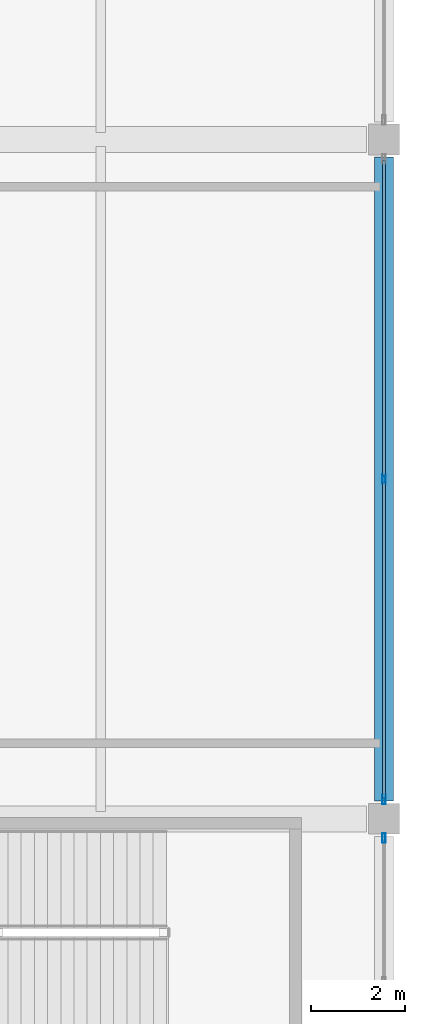
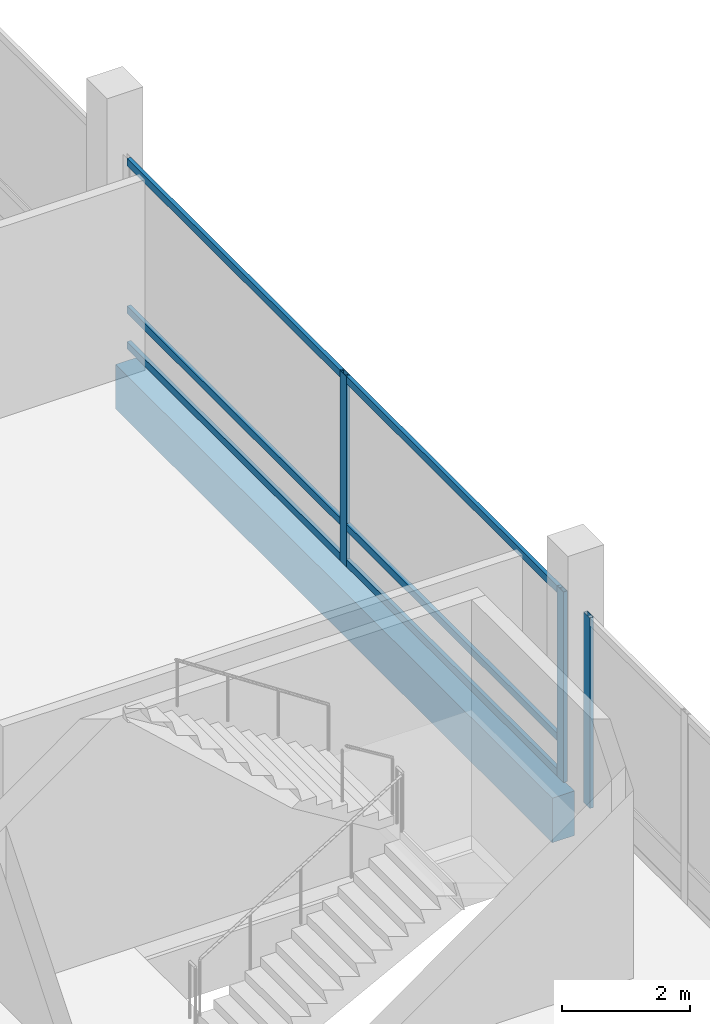
# One storey, part 103 of 220: 9 members, 1 beam, 2 elements without a shape of their own.
"""IFC4 building model written with IfcOpenShell, lengths in metres."""

from ifc_helpers import new_model, si_unit, direction, frame, origin, origin_2d, place, context, subcontext, project, spatial, rectangle, hollow_rectangle, extrude, material, material_profile, profile_set, type_object, element, aggregate, save


model = new_model("IFC4")

# Units and contexts
model_context = context("Model", 3, precision=1e-05, world=origin(), true_north=direction((0.0, 1.0)))
body_context = subcontext(model_context, "Body", "Model", "MODEL_VIEW")
ifc_project = project(units=[si_unit("LENGTHUNIT", "METRE"), si_unit("AREAUNIT", "SQUARE_METRE"), si_unit("VOLUMEUNIT", "CUBIC_METRE"), si_unit("PLANEANGLEUNIT", "RADIAN"), si_unit("MASSUNIT", "GRAM", prefix="KILO")], contexts=[model_context])

# Site, building, storey
site_placement = place(None, origin())
site = spatial("IfcSite", under=ifc_project, at=site_placement, CompositionType="ELEMENT")
building_placement = place(site_placement, origin())
building = spatial("IfcBuilding", under=site, at=building_placement, Name="Cendralis Lancet Convention Centre", CompositionType="ELEMENT")
storey_placement = place(building_placement, frame((0.0, 0.0, 5.39990234375)))
storey = spatial("IfcBuildingStorey", under=building, at=storey_placement, Name="L01", CompositionType="ELEMENT", Elevation=5.39990234375)

# Curtain wall, member
ifc_material_1 = material(Name="Anodised bronze architectural aluminium", Category="aluminium")
curtain_wall_type = type_object("IfcCurtainWallType", Name="ARC-CW-PL01", PredefinedType="USERDEFINED", material=ifc_material_1)
curtain_wall_1_placement = place(storey_placement, origin())
curtain_wall_1 = element("IfcCurtainWall", 1, at=curtain_wall_1_placement, inside=storey, type_object=curtain_wall_type, Name="L01 Curtain Wall CW-PL1 #121", ObjectType="CURTAIN WALL", PredefinedType="USERDEFINED")
ifc_material_profile_1 = material_profile(ifc_material_1, hollow_rectangle(XDim=0.070068359375, YDim=0.199951171875, WallThickness=0.0048828125, at=origin_2d()), Name="AL-MULL 70x200x5.0")
ifc_profile_set_1 = profile_set([ifc_material_profile_1], Name="Anodised bronze architectural aluminium")
member_type_1 = type_object("IfcMemberType", Name="ARC-CW-ML02", PredefinedType="MULLION", material=ifc_profile_set_1)
member_1_placement = place(storey_placement, frame((208.800048828125, 49.989990234375, 0.0), z_axis=(0.0, 0.0, 1.0), x_axis=(1.0, 0.0, 0.0)))
member_1 = element("IfcMember", 2, at=member_1_placement, type_object=member_type_1, Name="Mullion CW2-CW-PL1-L01-121-M0", PredefinedType="MULLION", context=body_context, shape_type="SweptSolid", body=[
    extrude(hollow_rectangle(XDim=0.070068359375, YDim=0.199951171875, WallThickness=0.0048828125, at=origin_2d()), origin(), (0.0, 0.0, 1.0), 3.635009765625),
])
aggregate(curtain_wall_1, [member_1])

# Curtain wall, members
curtain_wall_2_placement = place(storey_placement, origin())
curtain_wall_2 = element("IfcCurtainWall", 3, at=curtain_wall_2_placement, inside=storey, type_object=curtain_wall_type, Name="L01 Curtain Wall CW-PL1 #122", ObjectType="CURTAIN WALL", PredefinedType="USERDEFINED")
member_2_placement = place(storey_placement, frame((208.800048828125, 57.60009765625, 0.0), z_axis=(0.0, 0.0, 1.0), x_axis=(1.0, 0.0, 0.0)))
member_2 = element("IfcMember", 4, at=member_2_placement, type_object=member_type_1, Name="Mullion CW2-CW-PL1-L01-122-M1", PredefinedType="MULLION", context=body_context, shape_type="SweptSolid", body=[
    extrude(hollow_rectangle(XDim=0.070068359375, YDim=0.199951171875, WallThickness=0.0048828125, at=origin_2d()), origin(), (0.0, 0.0, 1.0), 3.635009765625),
])
member_3_placement = place(storey_placement, frame((208.800048828125, 50.81005859375, 0.0), z_axis=(0.0, 0.0, 1.0), x_axis=(1.0, 0.0, 0.0)))
member_3 = element("IfcMember", 5, at=member_3_placement, type_object=member_type_1, Name="Mullion CW2-CW-PL1-L01-122-M2", PredefinedType="MULLION", context=body_context, shape_type="SweptSolid", body=[
    extrude(hollow_rectangle(XDim=0.070068359375, YDim=0.199951171875, WallThickness=0.0048828125, at=origin_2d()), origin(), (0.0, 0.0, 1.0), 3.635009765625),
])
ifc_material_profile_2 = material_profile(ifc_material_1, hollow_rectangle(XDim=0.070068359375, YDim=0.139892578125, WallThickness=0.00390625, at=origin_2d()), Name="AL-TRAN 70x140x4.0")
ifc_profile_set_2 = profile_set([ifc_material_profile_2], Name="Anodised bronze architectural aluminium")
member_type_2 = type_object("IfcMemberType", Name="ARC-CW-TR02", PredefinedType="USERDEFINED", material=ifc_profile_set_2)
member_4_placement = place(storey_placement, frame((208.800048828125, 64.35498046875, 0.070068359375), z_axis=(0.0, -1.0, 0.0), x_axis=(1.0, 0.0, 0.0)))
member_4 = element("IfcMember", 6, at=member_4_placement, type_object=member_type_2, Name="Transom CW2-CW-PL1-L01-122-T0BOT", ObjectType="TRANSOM", PredefinedType="USERDEFINED", context=body_context, shape_type="SweptSolid", body=[
    extrude(hollow_rectangle(XDim=0.070068359375, YDim=0.139892578125, WallThickness=0.00390625, at=origin_2d()), origin(), (0.0, 0.0, 1.0), 6.68505859375),
])
member_5_placement = place(storey_placement, frame((208.800048828125, 64.35498046875, 0.75), z_axis=(0.0, -1.0, 0.0), x_axis=(1.0, 0.0, 0.0)))
member_5 = element("IfcMember", 7, at=member_5_placement, type_object=member_type_2, Name="Transom CW2-CW-PL1-L01-122-T0MID", ObjectType="TRANSOM", PredefinedType="USERDEFINED", context=body_context, shape_type="SweptSolid", body=[
    extrude(hollow_rectangle(XDim=0.070068359375, YDim=0.139892578125, WallThickness=0.00390625, at=origin_2d()), origin(), (0.0, 0.0, 1.0), 6.68505859375),
])
member_6_placement = place(storey_placement, frame((208.800048828125, 64.35498046875, 3.565185546875), z_axis=(0.0, -1.0, 0.0), x_axis=(1.0, 0.0, 0.0)))
member_6 = element("IfcMember", 8, at=member_6_placement, type_object=member_type_2, Name="Transom CW2-CW-PL1-L01-122-T0TOP", ObjectType="TRANSOM", PredefinedType="USERDEFINED", context=body_context, shape_type="SweptSolid", body=[
    extrude(hollow_rectangle(XDim=0.070068359375, YDim=0.139892578125, WallThickness=0.00390625, at=origin_2d()), origin(), (0.0, 0.0, 1.0), 6.68505859375),
])
member_7_placement = place(storey_placement, frame((208.800048828125, 57.530029296875, 0.070068359375), z_axis=(0.0, -1.0, 0.0), x_axis=(1.0, 0.0, 0.0)))
member_7 = element("IfcMember", 9, at=member_7_placement, type_object=member_type_2, Name="Transom CW2-CW-PL1-L01-122-T1BOT", ObjectType="TRANSOM", PredefinedType="USERDEFINED", context=body_context, shape_type="SweptSolid", body=[
    extrude(hollow_rectangle(XDim=0.070068359375, YDim=0.139892578125, WallThickness=0.00390625, at=origin_2d()), origin(), (0.0, 0.0, 1.0), 6.68505859375),
])
member_8_placement = place(storey_placement, frame((208.800048828125, 57.530029296875, 0.75), z_axis=(0.0, -1.0, 0.0), x_axis=(1.0, 0.0, 0.0)))
member_8 = element("IfcMember", 10, at=member_8_placement, type_object=member_type_2, Name="Transom CW2-CW-PL1-L01-122-T1MID", ObjectType="TRANSOM", PredefinedType="USERDEFINED", context=body_context, shape_type="SweptSolid", body=[
    extrude(hollow_rectangle(XDim=0.070068359375, YDim=0.139892578125, WallThickness=0.00390625, at=origin_2d()), origin(), (0.0, 0.0, 1.0), 6.68505859375),
])
member_9_placement = place(storey_placement, frame((208.800048828125, 57.530029296875, 3.565185546875), z_axis=(0.0, -1.0, 0.0), x_axis=(1.0, 0.0, 0.0)))
member_9 = element("IfcMember", 11, at=member_9_placement, type_object=member_type_2, Name="Transom CW2-CW-PL1-L01-122-T1TOP", ObjectType="TRANSOM", PredefinedType="USERDEFINED", context=body_context, shape_type="SweptSolid", body=[
    extrude(hollow_rectangle(XDim=0.070068359375, YDim=0.139892578125, WallThickness=0.00390625, at=origin_2d()), origin(), (0.0, 0.0, 1.0), 6.68505859375),
])
aggregate(curtain_wall_2, [member_2, member_3, member_4, member_5, member_6, member_7, member_8, member_9])

# Beam
ifc_material_2 = material(Name="Concrete G40 (C40/50)", Category="concrete")
ifc_material_profile_3 = material_profile(ifc_material_2, rectangle(XDim=0.39990234375, YDim=0.85009765625, at=origin_2d()), Name="RCB 400x850")
ifc_profile_set_3 = profile_set([ifc_material_profile_3], Name="Concrete G40 (C40/50)")
beam_type = type_object("IfcBeamType", Name="STR-SP-SP02", PredefinedType="SPANDREL", material=ifc_profile_set_3)
beam_placement = place(storey_placement, frame((208.800048828125, 50.77490234375, -0.704833984375), z_axis=(0.0, 1.0, 0.0), x_axis=(-1.0, 0.0, 0.0)))
element("IfcBeam", 12, at=beam_placement, inside=storey, type_object=beam_type, Name="L01 Beam SP02 #1438", PredefinedType="SPANDREL", context=body_context, shape_type="SweptSolid", body=[
    extrude(rectangle(XDim=0.39990234375, YDim=0.85009765625, at=origin_2d()), origin(), (0.0, 0.0, 1.0), 13.650146484375),
])

save(model, "model.ifc")
